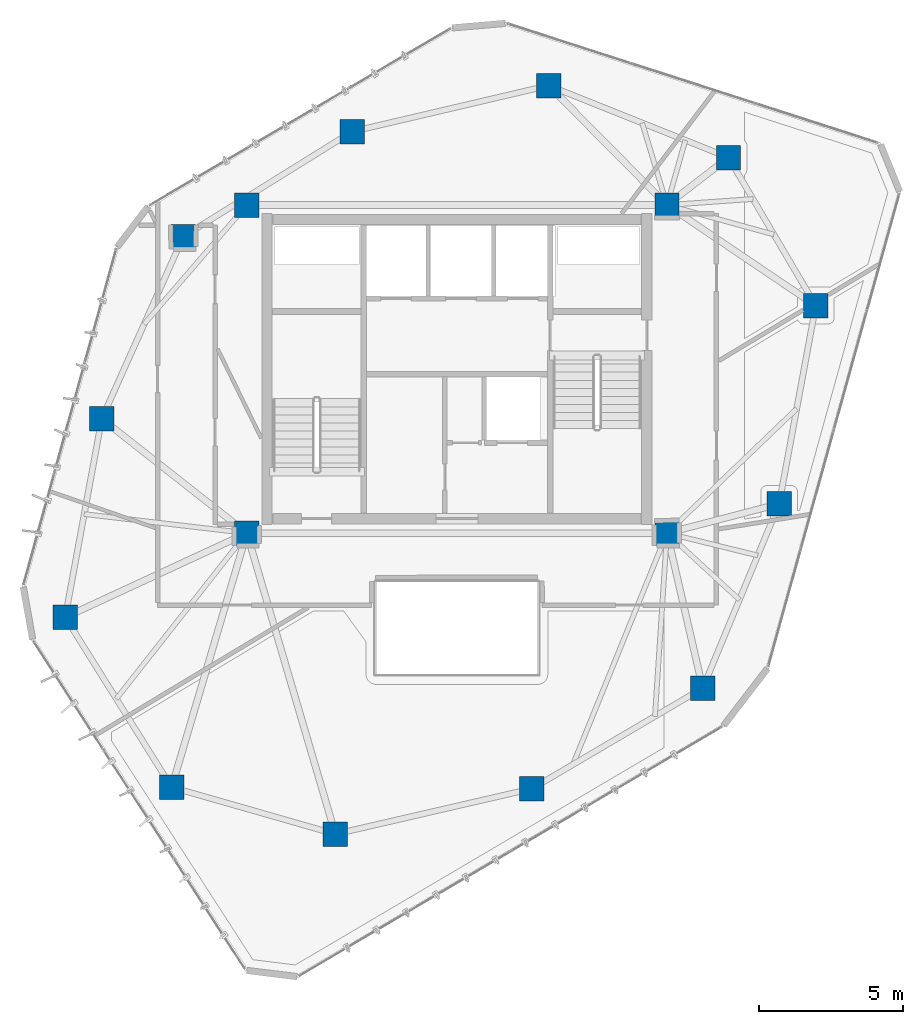
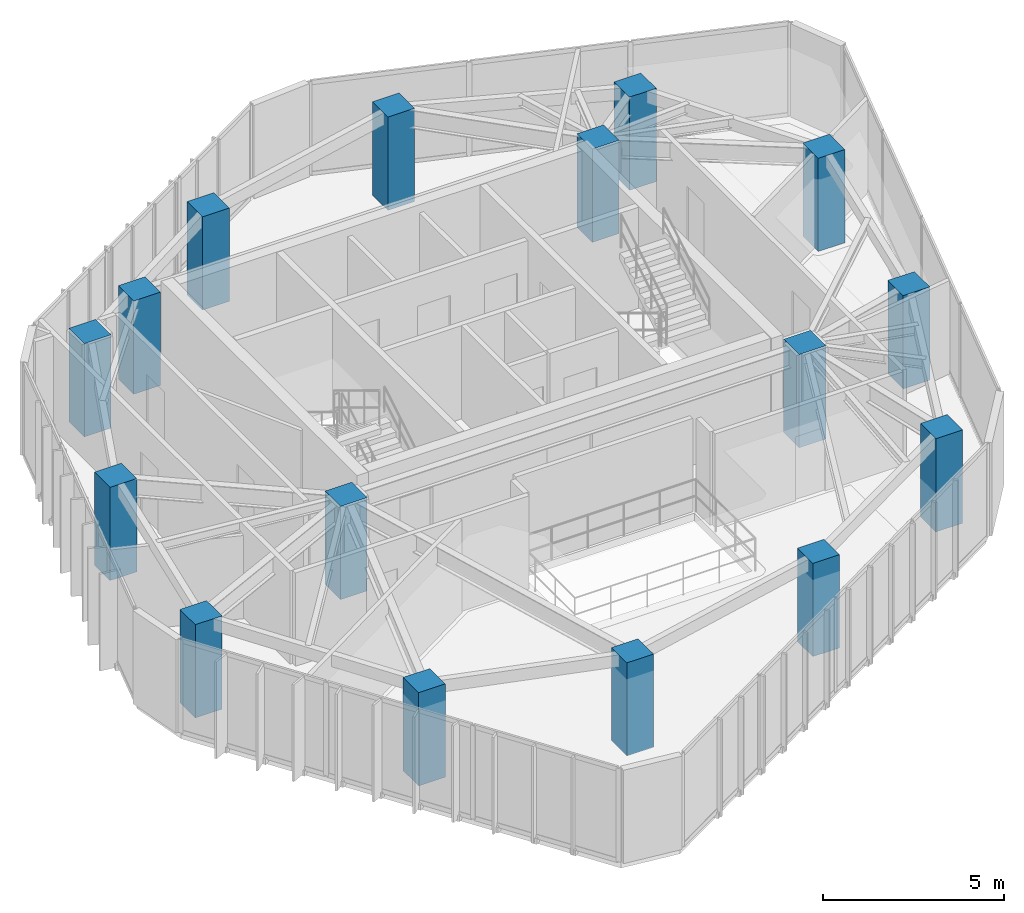
# One storey, part 1 of 20: 16 columns.
"""IFC4 building model written with IfcOpenShell, lengths in metres."""

import ifcopenshell
import ifcopenshell.guid

model = None  # the IFC model being written
_history = None  # IfcOwnerHistory: only IFC2X3 demands one
_inside = {}  # id of a spatial element -> (the spatial element, [elements in it])
_under = {}  # id of a project, library or spatial element -> (it, [spatial elements below it])
_declared = {}  # id of a project -> (the project, [libraries it declares])
_typed = {}  # id of a type object -> (the type object, [elements of that type])
_made_of = {}  # id of a material, layer set ... -> (it, [elements and type objects made of it])


def new_model(schema):
    """Start an empty IFC model of exactly this schema.

    Asked for "IFC4X3", IfcOpenShell would pick the latest addendum, in which some entities
    have other attributes; the version numbers below select the first issue.
    IFC2X3 requires an IfcOwnerHistory on every rooted entity: one is made here for all.
    """
    global model, _history
    if schema == "IFC4X3":
        model = ifcopenshell.file(schema_version=(4, 3, 0, 0))
    else:
        model = ifcopenshell.file(schema=schema)
    _inside.clear()
    _under.clear()
    _declared.clear()
    _typed.clear()
    _made_of.clear()
    _history = None
    if model.schema == "IFC2X3":
        org = make("IfcOrganization", Name="unknown")
        user = make(
            "IfcPersonAndOrganization",
            ThePerson=make("IfcPerson", FamilyName="unknown"),
            TheOrganization=org,
        )
        app = make(
            "IfcApplication",
            ApplicationDeveloper=org,
            Version="unknown",
            ApplicationFullName="unknown",
            ApplicationIdentifier="unknown",
        )
        _history = make(
            "IfcOwnerHistory",
            OwningUser=user,
            OwningApplication=app,
            ChangeAction="ADDED",
            CreationDate=0,
        )
    return model


def make(cls, **values):
    """One entity of the class cls with the attributes given. An attribute that is None is left unset."""
    return model.create_entity(
        cls, **{name: value for name, value in values.items() if value is not None}
    )


def rooted(cls, **values):
    """An entity with a GlobalId (a new one), such as an element, a storey or a relation."""
    return make(cls, GlobalId=ifcopenshell.guid.new(), OwnerHistory=_history, **values)


def si_unit(unit_type, name, prefix=None):
    """IfcSIUnit, for example si_unit("LENGTHUNIT", "METRE", prefix="MILLI")."""
    return make("IfcSIUnit", UnitType=unit_type, Prefix=prefix, Name=name)


def assignment(units):
    """IfcUnitAssignment: the units of a project."""
    return None if units is None else make("IfcUnitAssignment", Units=units)


def point(xyz):
    """IfcCartesianPoint."""
    return None if xyz is None else make("IfcCartesianPoint", Coordinates=xyz)


def direction(xyz):
    """IfcDirection."""
    return None if xyz is None else make("IfcDirection", DirectionRatios=xyz)


def frame(location, z_axis=None, x_axis=None):
    """IfcAxis2Placement3D, a coordinate frame: its origin and axes. An axis left out is left unset."""
    return make(
        "IfcAxis2Placement3D",
        Location=point(location),
        Axis=direction(z_axis),
        RefDirection=direction(x_axis),
    )


def frame_2d(location, x_axis=None):
    """IfcAxis2Placement2D, a coordinate frame in the plane: its origin and x axis."""
    return make(
        "IfcAxis2Placement2D", Location=point(location), RefDirection=direction(x_axis)
    )


def origin():
    """The frame at (0, 0, 0) with its axes left unset."""
    return frame((0.0, 0.0, 0.0))


def origin_2d():
    """The frame at (0, 0) in the plane with its x axis left unset."""
    return frame_2d((0.0, 0.0))


def place(relative_to, where):
    """IfcLocalPlacement: puts the frame where relative to a parent placement (None: the world)."""
    return make(
        "IfcLocalPlacement", PlacementRelTo=relative_to, RelativePlacement=where
    )


def context(
    kind, dimensions, precision=None, world=None, true_north=None, identifier=None
):
    """IfcGeometricRepresentationContext, for example the 3D "Model" context."""
    return make(
        "IfcGeometricRepresentationContext",
        ContextIdentifier=identifier,
        ContextType=kind,
        CoordinateSpaceDimension=dimensions,
        Precision=precision,
        WorldCoordinateSystem=world,
        TrueNorth=true_north,
    )


def subcontext(parent, identifier, kind, view, scale=None):
    """IfcGeometricRepresentationSubContext, for example "Body" below "Model"."""
    return make(
        "IfcGeometricRepresentationSubContext",
        ContextIdentifier=identifier,
        ContextType=kind,
        ParentContext=parent,
        TargetScale=scale,
        TargetView=view,
    )


def project(units=None, contexts=None):
    """IfcProject with its units and contexts."""
    return rooted(
        "IfcProject",
        Name="project",
        RepresentationContexts=contexts,
        UnitsInContext=assignment(units),
    )


def spatial(cls, under=None, at=None, **own):
    """A site, building, storey or space (cls), placed at a placement, below another one or the project."""
    s = rooted(cls, ObjectPlacement=at, **own)
    if under is not None:
        _under.setdefault(under.id(), (under, []))[1].append(s)
    return s


def profile(cls, at=None, kind="AREA", **sizes):
    """A parametric profile (cls). Its sizes go by their IFC names, for example OverallWidth=200.0."""
    return make(cls, ProfileType=kind, Position=at, **sizes)


def rectangle(**sizes):
    """IfcRectangleProfileDef."""
    return profile("IfcRectangleProfileDef", **sizes)


def extrude(swept, where, along, depth):
    """IfcExtrudedAreaSolid: the profile swept, set in the frame where, extruded along a direction by depth."""
    return make(
        "IfcExtrudedAreaSolid",
        SweptArea=swept,
        Position=where,
        ExtrudedDirection=direction(along),
        Depth=depth,
    )


def shape(context_of_items, identifier, shape_type, items):
    """IfcShapeRepresentation: the items that make up one representation, for example the "Body"."""
    return make(
        "IfcShapeRepresentation",
        ContextOfItems=context_of_items,
        RepresentationIdentifier=identifier,
        RepresentationType=shape_type,
        Items=items,
    )


def material(Name=None, Category=None):
    """IfcMaterial."""
    return make("IfcMaterial", Name=Name, Category=Category)


def material_profile(
    of_material, cross_section, Name=None, Category=None, Priority=None
):
    """IfcMaterialProfile: a cross section and its material."""
    return make(
        "IfcMaterialProfile",
        Name=Name,
        Material=of_material,
        Profile=cross_section,
        Priority=Priority,
        Category=Category,
    )


def profile_set(profiles, Name=None, composite=None):
    """IfcMaterialProfileSet."""
    return make(
        "IfcMaterialProfileSet",
        Name=Name,
        MaterialProfiles=profiles,
        CompositeProfile=composite,
    )


def made_of(thing, what):
    """Note that an element or type object is made of a material, layer set ...; save() writes the relation."""
    if what is not None:
        _made_of.setdefault(what.id(), (what, []))[1].append(thing)
    return thing


def type_object(cls, material=None, **own):
    """A type object (cls), such as IfcWallType, which elements share."""
    return made_of(rooted(cls, **own), material)


def element(
    cls,
    number,
    at=None,
    inside=None,
    cuts=None,
    type_object=None,
    material=None,
    context=None,
    identifier="Body",
    shape_type=None,
    held_by="IfcProductDefinitionShape",
    body=None,
    shapes=None,
    **own,
):
    """One element of the class cls, such as IfcWall. Its Tag is "e" and its number.

    at: its placement. inside: the storey or other place that contains it. cuts: it is an
    opening in that element (IfcRelVoidsElement). A single representation is given by context,
    identifier, shape_type and body (its items); several are given by shapes. held_by: the class
    of the entity that holds the representations. save() writes the other relations.
    """
    e = rooted(cls, Tag="e%d" % number, ObjectPlacement=at, **own)
    if body is not None:
        shapes = [shape(context, identifier, shape_type, body)]
    if shapes is not None:
        e.Representation = make(held_by, Representations=shapes)
    if inside is not None:
        _inside.setdefault(inside.id(), (inside, []))[1].append(e)
    if cuts is not None:
        rooted(
            "IfcRelVoidsElement", RelatingBuildingElement=cuts, RelatedOpeningElement=e
        )
    if type_object is not None:
        _typed.setdefault(type_object.id(), (type_object, []))[1].append(e)
    return made_of(e, material)


def aggregate(whole, parts):
    """IfcRelAggregates: a whole, such as a stair, and the parts it consists of."""
    return rooted("IfcRelAggregates", RelatingObject=whole, RelatedObjects=parts)


def save(model, path):
    """Write the relations noted so far, then the file.

    IfcRelAggregates (storeys below a building ...), IfcRelContainedInSpatialStructure (elements
    in a storey), IfcRelDefinesByType, IfcRelAssociatesMaterial and IfcRelDeclares: one each for
    every whole, place, type object, material and project.
    """
    for whole, parts in _under.values():
        aggregate(whole, parts)
    for where, things in _inside.values():
        rooted(
            "IfcRelContainedInSpatialStructure",
            RelatedElements=things,
            RelatingStructure=where,
        )
    for kind, things in _typed.values():
        rooted("IfcRelDefinesByType", RelatedObjects=things, RelatingType=kind)
    for what, things in _made_of.values():
        rooted("IfcRelAssociatesMaterial", RelatedObjects=things, RelatingMaterial=what)
    for by, libraries in _declared.values():
        rooted("IfcRelDeclares", RelatingContext=by, RelatedDefinitions=libraries)
    model.write(path)


model = new_model("IFC4")

# Units and contexts
model_context = context("Model", 3, precision=1e-05, world=origin(), true_north=direction((0.0, 1.0)))
body_context = subcontext(model_context, "Body", "Model", "MODEL_VIEW")
ifc_project = project(units=[si_unit("LENGTHUNIT", "METRE"), si_unit("AREAUNIT", "SQUARE_METRE"), si_unit("VOLUMEUNIT", "CUBIC_METRE"), si_unit("PLANEANGLEUNIT", "RADIAN"), si_unit("MASSUNIT", "GRAM", prefix="KILO")], contexts=[model_context])

# Site, building, storey
site_placement = place(None, origin())
site = spatial("IfcSite", under=ifc_project, at=site_placement, CompositionType="ELEMENT")
building_placement = place(site_placement, origin())
building = spatial("IfcBuilding", under=site, at=building_placement, Name="Talar Marvaseh", CompositionType="ELEMENT")
storey_placement = place(building_placement, frame((0.0, 0.0, 254.39990234375)))
storey = spatial("IfcBuildingStorey", under=building, at=storey_placement, Name="L67", CompositionType="ELEMENT", Elevation=254.39990234375)

# Columns
ifc_material = material(Name="Concrete C50/60", Category="concrete")
ifc_material_profile = material_profile(ifc_material, rectangle(XDim=0.85009765625, YDim=0.85009765625, at=origin_2d()), Name="RC850x850")
ifc_profile_set = profile_set([ifc_material_profile], Name="Concrete C50/60")
column_type = type_object("IfcColumnType", Name="Zone 4 Tube Column RC850x850", PredefinedType="COLUMN", material=ifc_profile_set)
for number, where, z_axis, x_axis, name in (
    (1, (12.388916015625, 22.576904296875, 0.0), (0.0, 0.0, 1.0), (1.0, 0.0, 0.0), "L67 Zone 4 Tube Column RC850x850"),
    (2, (13.657958984375, 29.469970703125, 0.0), (0.0, 0.0, 1.0), (1.0, 0.0, 0.0), "L67 Zone 4 Tube Column RC850x850"),
    (3, (16.493896484375, 35.806884765625, 0.0), (0.0, 0.0, 1.0), (1.0, 0.0, 0.0), "L67 Zone 4 Tube Column RC850x850"),
    (4, (22.364990234375, 39.4541015625, 0.0), (0.0, 0.0, 1.0), (1.0, 0.0, 0.0), "L67 Zone 4 Tube Column RC850x850"),
    (5, (29.18798828125, 41.052001953125, 0.0), (0.0, 0.0, 1.0), (1.0, 0.0, 0.0), "L67 Zone 4 Tube Column RC850x850"),
    (6, (35.43798828125, 38.551025390625, 0.0), (0.0, 0.0, 1.0), (1.0, 0.0, 0.0), "L67 Zone 4 Tube Column RC850x850"),
    (7, (38.470947265625, 33.406005859375, 0.0), (0.0, 0.0, 1.0), (1.0, 0.0, 0.0), "L67 Zone 4 Tube Column RC850x850"),
    (8, (37.197021484375, 26.513916015625, 0.0), (0.0, 0.0, 1.0), (1.0, 0.0, 0.0), "L67 Zone 4 Tube Column RC850x850"),
    (9, (34.5439453125, 20.111083984375, 0.0), (0.0, 0.0, 1.0), (1.0, 0.0, 0.0), "L67 Zone 4 Tube Column RC850x850"),
    (10, (28.60498046875, 16.616943359375, 0.0), (0.0, 0.0, 1.0), (1.0, 0.0, 0.0), "L67 Zone 4 Tube Column RC850x850"),
    (11, (21.77587890625, 15.0400390625, 0.0), (0.0, 0.0, 1.0), (1.0, 0.0, 0.0), "L67 Zone 4 Tube Column RC850x850"),
    (12, (16.0869140625, 16.66796875, 0.0), (0.0, 0.0, 1.0), (1.0, 0.0, 0.0), "L67 Zone 4 Tube Column RC850x850"),
    (13, (18.699951171875, 25.5, 0.0), (0.0, 0.0, 1.0), (1.0, 0.0, 0.0), "L67 Zone 4 Tube Column RC850x850"),
    (14, (33.300048828125, 25.5, 0.0), (0.0, 0.0, 1.0), (1.0, 0.0, 0.0), "L67 Zone 4 Tube Column RC850x850"),
    (15, (33.300048828125, 36.89990234375, 0.0), (0.0, 0.0, 1.0), (1.0, 0.0, 0.0), "L67 Zone 4 Tube Column RC850x850"),
    (16, (18.699951171875, 36.89990234375, 0.0), (0.0, 0.0, 1.0), (1.0, 0.0, 0.0), "L67 Zone 4 Tube Column RC850x850"),
):
    element("IfcColumn", number, at=place(storey_placement, frame(where, z_axis=z_axis, x_axis=x_axis)), inside=storey, type_object=column_type, Name=name, PredefinedType="COLUMN", context=body_context, shape_type="SweptSolid", body=[
        extrude(rectangle(XDim=0.85009765625, YDim=0.85009765625, at=origin_2d()), origin(), (0.0, 0.0, 1.0), 3.14013671875),
    ])

save(model, "model.ifc")
